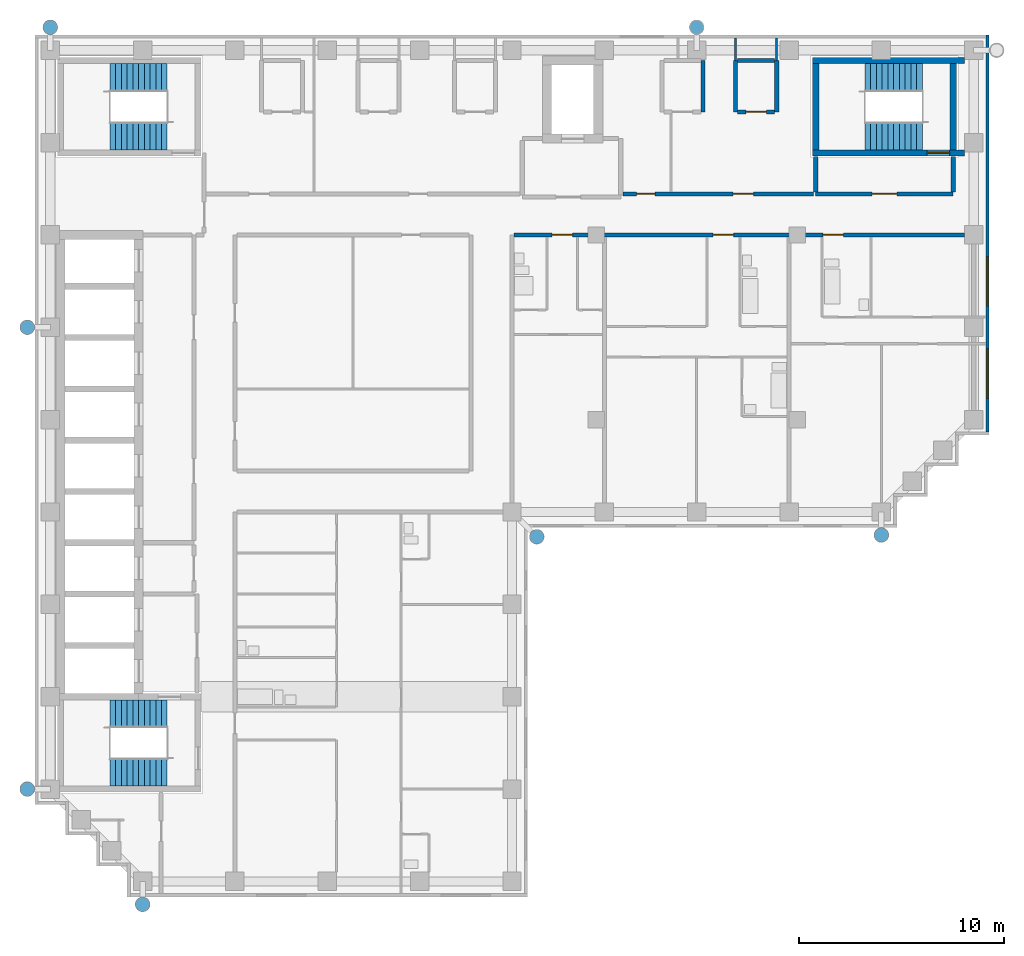
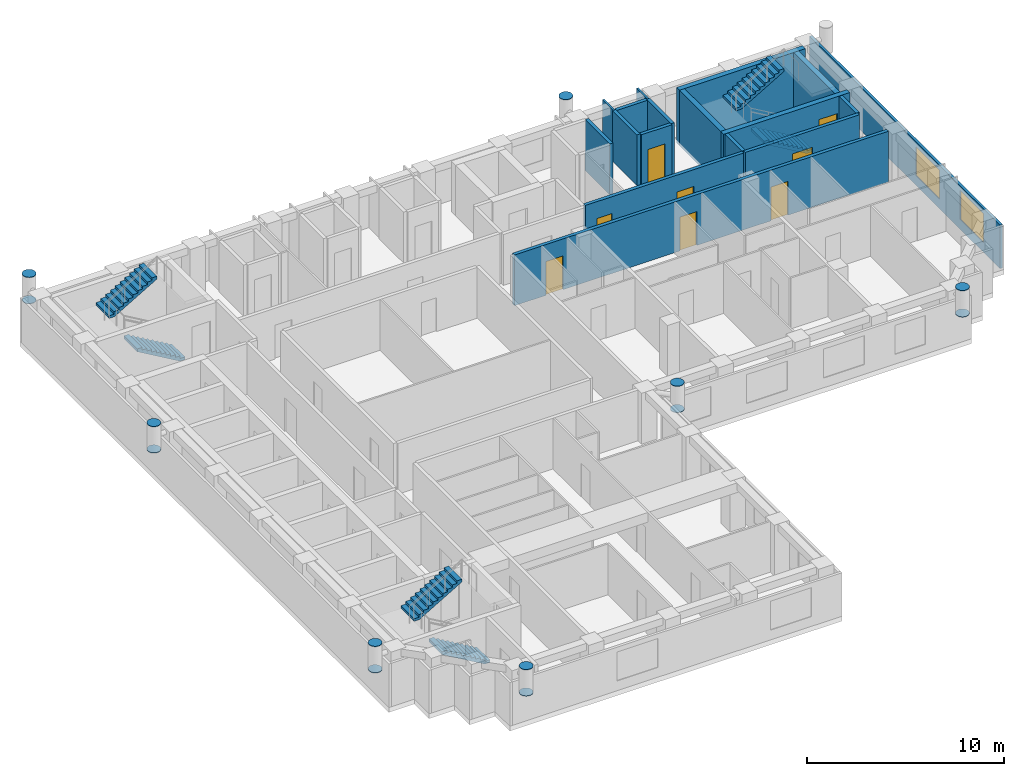
# One storey, part 6 of 9: 17 walls, 13 discrete accessories, 8 doors, 6 stair flights, 2 windows, 10 openings, 3 elements without a shape of their own.
"""IFC4 building model written with IfcOpenShell, lengths in metres."""

from ifc_helpers import new_model, si_unit, direction, frame, frame_2d, origin, origin_2d, place, context, subcontext, project, spatial, polyline, rectangle, circle, outline, extrude, material, layer, layer_set, material_profile, profile_set, type_object, element, fill, aggregate, save


model = new_model("IFC4")

# Units and contexts
model_context = context("Model", 3, precision=1e-05, world=origin(), true_north=direction((0.0, 1.0)))
body_context = subcontext(model_context, "Body", "Model", "MODEL_VIEW")
ifc_project = project(units=[si_unit("LENGTHUNIT", "METRE"), si_unit("AREAUNIT", "SQUARE_METRE"), si_unit("VOLUMEUNIT", "CUBIC_METRE"), si_unit("PLANEANGLEUNIT", "RADIAN"), si_unit("MASSUNIT", "GRAM", prefix="KILO")], contexts=[model_context])

# Site, building, storey
site_placement = place(None, origin())
site = spatial("IfcSite", under=ifc_project, at=site_placement, CompositionType="ELEMENT")
building_placement = place(site_placement, origin())
building = spatial("IfcBuilding", under=site, at=building_placement, Name="Firuza Court", CompositionType="ELEMENT")
storey_placement = place(building_placement, frame((0.0, 0.0, 254.60009765625)))
storey = spatial("IfcBuildingStorey", under=building, at=storey_placement, Name="L66", CompositionType="ELEMENT", Elevation=254.60009765625)

# Wall, opening, door
ifc_material_1 = material(Name="Concrete C50/60", Category="concrete")
ifc_layer_1 = layer(ifc_material_1, 0.300048828125)
ifc_layer_set_1 = layer_set([ifc_layer_1], Name="Concrete C50/60")
wall_type_1 = type_object("IfcWallType", Name="Core wall 300 C50/60", PredefinedType="SHEAR", material=ifc_layer_set_1)
wall_1_placement = place(storey_placement, frame((37.14990234375, 53.5, -0.300048828125), z_axis=(0.0, 0.0, 1.0), x_axis=(1.0, 0.0, 0.0)))
wall_1 = element("IfcWall", 1, at=wall_1_placement, inside=storey, type_object=wall_type_1, Name="Core wall stair L66", PredefinedType="SHEAR", context=body_context, shape_type="SweptSolid", body=[
    extrude(rectangle(XDim=7.400146484375, YDim=0.300048828125, at=frame_2d((3.7001953125, 0.0))), origin(), (0.0, 0.0, 1.0), 3.449951171875),
])
opening_1_placement = place(wall_1_placement, frame((5.580078125, 0.0, 0.300048828125)))
opening_1 = element("IfcOpeningElement", 2, at=opening_1_placement, cuts=wall_1, Name="Opening D66008", PredefinedType="OPENING", context=body_context, shape_type="SweptSolid", body=[
    extrude(rectangle(XDim=1.10009765625, YDim=2.10009765625, at=frame_2d((0.550048828125, 1.050048828125))), frame((0.0, 0.162109375, 0.0), z_axis=(0.0, -1.0, 0.0), x_axis=(1.0, 0.0, 0.0)), (0.0, 0.0, 1.0), 0.323974609375),
])
ifc_material_2 = material(Name="Timber door leaf in hardwood frame", Category="wood")
door_type_1 = type_object("IfcDoorType", Name="Stair door 1100", OperationType="SINGLE_SWING_LEFT", PredefinedType="DOOR", material=ifc_material_2)
door_1_placement = place(opening_1_placement, origin())
door_1 = element("IfcDoor", 3, at=door_1_placement, inside=storey, type_object=door_type_1, Name="Stair door S1", OperationType="SINGLE_SWING_RIGHT", OverallHeight=2.10009765625, OverallWidth=1.10009765625, PredefinedType="DOOR", context=body_context, shape_type="SweptSolid", body=[
    extrude(rectangle(XDim=1.10009765625, YDim=2.10009765625, at=frame_2d((0.550048828125, 1.050048828125))), frame((0.0, 0.02490234375, 0.0), z_axis=(0.0, -1.0, 0.0), x_axis=(1.0, 0.0, 0.0)), (0.0, 0.0, 1.0), 0.050048828125),
])
fill(opening_1, door_1)

# Walls
wall_2_placement = place(storey_placement, frame((37.14990234375, 58.0, -0.300048828125), z_axis=(0.0, 0.0, 1.0), x_axis=(1.0, 0.0, 0.0)))
element("IfcWall", 4, at=wall_2_placement, inside=storey, type_object=wall_type_1, Name="Core wall stair L66", PredefinedType="SHEAR", context=body_context, shape_type="SweptSolid", body=[
    extrude(rectangle(XDim=7.400146484375, YDim=0.300048828125, at=frame_2d((3.7001953125, 0.0))), origin(), (0.0, 0.0, 1.0), 3.449951171875),
])
for number, where, z_axis, x_axis, name in (
    (5, (37.300048828125, 53.64990234375, -0.300048828125), (0.0, 0.0, 1.0), (0.0, 1.0, 0.0), "Core wall stair L66"),
    (6, (44.0, 53.64990234375, -0.300048828125), (0.0, 0.0, 1.0), (0.0, 1.0, 0.0), "Core wall stair L66"),
):
    element("IfcWall", number, at=place(storey_placement, frame(where, z_axis=z_axis, x_axis=x_axis)), inside=storey, type_object=wall_type_1, Name=name, PredefinedType="SHEAR", context=body_context, shape_type="SweptSolid", body=[
        extrude(rectangle(XDim=4.2001953125, YDim=0.300048828125, at=frame_2d((2.10009765625, 0.0))), origin(), (0.0, 0.0, 1.0), 3.449951171875),
    ])

# Wall, openings, doors
ifc_material_3 = material(Name="Blockwork, plastered both sides", Category="masonry")
ifc_layer_2 = layer(ifc_material_3, 0.199951171875)
ifc_layer_set_2 = layer_set([ifc_layer_2], Name="Blockwork, plastered both sides")
wall_type_2 = type_object("IfcWallType", Name="Corridor wall 200", PredefinedType="PARTITIONING", material=ifc_layer_set_2)
wall_3_placement = place(storey_placement, frame((22.60009765625, 49.5, 0.0), z_axis=(0.0, 0.0, 1.0), x_axis=(1.0, 0.0, 0.0)))
wall_3 = element("IfcWall", 7, at=wall_3_placement, inside=storey, type_object=wall_type_2, Name="Corridor wall 200 L66", PredefinedType="PARTITIONING", context=body_context, shape_type="SweptSolid", body=[
    extrude(rectangle(XDim=21.949951171875, YDim=0.199951171875, at=frame_2d((10.97509765625, 0.0))), origin(), (0.0, 0.0, 1.0), 3.14990234375),
])
opening_2_placement = place(wall_3_placement, frame((1.85009765625, 0.0, 0.0)))
opening_2 = element("IfcOpeningElement", 8, at=opening_2_placement, cuts=wall_3, Name="Opening D66040", PredefinedType="OPENING", context=body_context, shape_type="SweptSolid", body=[
    extrude(rectangle(XDim=1.0, YDim=2.10009765625, at=frame_2d((0.5, 1.050048828125))), frame((0.0, 0.11181640625, 0.0), z_axis=(0.0, -1.0, 0.0), x_axis=(1.0, 0.0, 0.0)), (0.0, 0.0, 1.0), 0.223876953125),
])
opening_3_placement = place(wall_3_placement, frame((9.699951171875, 0.0, 0.0)))
opening_3 = element("IfcOpeningElement", 9, at=opening_3_placement, cuts=wall_3, Name="Opening D66041", PredefinedType="OPENING", context=body_context, shape_type="SweptSolid", body=[
    extrude(rectangle(XDim=1.0, YDim=2.10009765625, at=frame_2d((0.5, 1.050048828125))), frame((0.0, 0.11181640625, 0.0), z_axis=(0.0, -1.0, 0.0), x_axis=(1.0, 0.0, 0.0)), (0.0, 0.0, 1.0), 0.223876953125),
])
opening_4_placement = place(wall_3_placement, frame((15.050048828125, 0.0, 0.0)))
opening_4 = element("IfcOpeningElement", 10, at=opening_4_placement, cuts=wall_3, Name="Opening D66042", PredefinedType="OPENING", context=body_context, shape_type="SweptSolid", body=[
    extrude(rectangle(XDim=1.0, YDim=2.10009765625, at=frame_2d((0.5, 1.050048828125))), frame((0.0, 0.11181640625, 0.0), z_axis=(0.0, -1.0, 0.0), x_axis=(1.0, 0.0, 0.0)), (0.0, 0.0, 1.0), 0.223876953125),
])
ifc_material_4 = material(Name="Timber door leaf in hardwood frame", Category="wood")
door_type_2 = type_object("IfcDoorType", Name="Flat entrance door 1000", OperationType="SINGLE_SWING_LEFT", PredefinedType="DOOR", material=ifc_material_4)
door_2_placement = place(opening_2_placement, origin())
door_2 = element("IfcDoor", 11, at=door_2_placement, inside=storey, type_object=door_type_2, Name="Flat entrance door", OperationType="SINGLE_SWING_RIGHT", OverallHeight=2.10009765625, OverallWidth=1.0, PredefinedType="DOOR", context=body_context, shape_type="SweptSolid", body=[
    extrude(rectangle(XDim=1.0, YDim=2.10009765625, at=frame_2d((0.5, 1.050048828125))), frame((0.0, 0.02490234375, 0.0), z_axis=(0.0, -1.0, 0.0), x_axis=(1.0, 0.0, 0.0)), (0.0, 0.0, 1.0), 0.050048828125),
])
fill(opening_2, door_2)
door_3_placement = place(opening_3_placement, origin())
door_3 = element("IfcDoor", 12, at=door_3_placement, inside=storey, type_object=door_type_2, Name="Flat entrance door", OperationType="SINGLE_SWING_RIGHT", OverallHeight=2.10009765625, OverallWidth=1.0, PredefinedType="DOOR", context=body_context, shape_type="SweptSolid", body=[
    extrude(rectangle(XDim=1.0, YDim=2.10009765625, at=frame_2d((0.5, 1.050048828125))), frame((0.0, 0.02490234375, 0.0), z_axis=(0.0, -1.0, 0.0), x_axis=(1.0, 0.0, 0.0)), (0.0, 0.0, 1.0), 0.050048828125),
])
fill(opening_3, door_3)
door_4_placement = place(opening_4_placement, frame((1.0, 0.0, 0.0), z_axis=(0.0, 0.0, 1.0), x_axis=(-1.0, 0.0, 0.0)))
door_4 = element("IfcDoor", 13, at=door_4_placement, inside=storey, type_object=door_type_2, Name="Flat entrance door", OperationType="SINGLE_SWING_RIGHT", OverallHeight=2.10009765625, OverallWidth=1.0, PredefinedType="DOOR", context=body_context, shape_type="SweptSolid", body=[
    extrude(rectangle(XDim=1.0, YDim=2.10009765625, at=frame_2d((0.5, 1.050048828125))), frame((0.0, 0.02490234375, 0.0), z_axis=(0.0, -1.0, 0.0), x_axis=(1.0, 0.0, 0.0)), (0.0, 0.0, 1.0), 0.050048828125),
])
fill(opening_4, door_4)

wall_4_placement = place(storey_placement, frame((27.89990234375, 51.5, 0.0), z_axis=(0.0, 0.0, 1.0), x_axis=(1.0, 0.0, 0.0)))
wall_4 = element("IfcWall", 14, at=wall_4_placement, inside=storey, type_object=wall_type_2, Name="Corridor wall 200 L66", PredefinedType="PARTITIONING", context=body_context, shape_type="SweptSolid", body=[
    extrude(rectangle(XDim=9.300048828125, YDim=0.199951171875, at=frame_2d((4.64990234375, 0.0))), origin(), (0.0, 0.0, 1.0), 3.14990234375),
])
opening_5_placement = place(wall_4_placement, frame((0.675048828125, 0.0, 0.0)))
opening_5 = element("IfcOpeningElement", 15, at=opening_5_placement, cuts=wall_4, Name="Opening D66045", PredefinedType="OPENING", context=body_context, shape_type="SweptSolid", body=[
    extrude(rectangle(XDim=0.89990234375, YDim=2.10009765625, at=frame_2d((0.449951171875, 1.050048828125))), frame((0.0, 0.11181640625, 0.0), z_axis=(0.0, -1.0, 0.0), x_axis=(1.0, 0.0, 0.0)), (0.0, 0.0, 1.0), 0.223876953125),
])
opening_6_placement = place(wall_4_placement, frame((5.375, 0.0, 0.0)))
opening_6 = element("IfcOpeningElement", 16, at=opening_6_placement, cuts=wall_4, Name="Opening D66046", PredefinedType="OPENING", context=body_context, shape_type="SweptSolid", body=[
    extrude(rectangle(XDim=1.0, YDim=2.10009765625, at=frame_2d((0.5, 1.050048828125))), frame((0.0, 0.11181640625, 0.0), z_axis=(0.0, -1.0, 0.0), x_axis=(1.0, 0.0, 0.0)), (0.0, 0.0, 1.0), 0.223876953125),
])
ifc_material_5 = material(Name="Timber door leaf in hardwood frame", Category="wood")
door_type_3 = type_object("IfcDoorType", Name="Room door 900 EI 30", OperationType="SINGLE_SWING_LEFT", PredefinedType="DOOR", material=ifc_material_5)
door_5_placement = place(opening_5_placement, origin())
door_5 = element("IfcDoor", 17, at=door_5_placement, inside=storey, type_object=door_type_3, Name="Meeting room door", OperationType="SINGLE_SWING_LEFT", OverallHeight=2.10009765625, OverallWidth=0.89990234375, PredefinedType="DOOR", context=body_context, shape_type="SweptSolid", body=[
    extrude(rectangle(XDim=0.89990234375, YDim=2.10009765625, at=frame_2d((0.449951171875, 1.050048828125))), frame((0.0, 0.02490234375, 0.0), z_axis=(0.0, -1.0, 0.0), x_axis=(1.0, 0.0, 0.0)), (0.0, 0.0, 1.0), 0.050048828125),
])
fill(opening_5, door_5)
ifc_material_6 = material(Name="Timber door leaf in hardwood frame", Category="wood")
door_type_4 = type_object("IfcDoorType", Name="Store door 1000", OperationType="SINGLE_SWING_LEFT", PredefinedType="DOOR", material=ifc_material_6)
door_6_placement = place(opening_6_placement, origin())
door_6 = element("IfcDoor", 18, at=door_6_placement, inside=storey, type_object=door_type_4, Name="Electrical room door", OperationType="SINGLE_SWING_LEFT", OverallHeight=2.10009765625, OverallWidth=1.0, PredefinedType="DOOR", context=body_context, shape_type="SweptSolid", body=[
    extrude(rectangle(XDim=1.0, YDim=2.10009765625, at=frame_2d((0.5, 1.050048828125))), frame((0.0, 0.02490234375, 0.0), z_axis=(0.0, -1.0, 0.0), x_axis=(1.0, 0.0, 0.0)), (0.0, 0.0, 1.0), 0.050048828125),
])
fill(opening_6, door_6)

# Walls
ifc_material_7 = material(Name="Timber stud partition, plasterboard both sides", Category="wood")
ifc_layer_3 = layer(ifc_material_7, 0.10009765625)
ifc_layer_set_3 = layer_set([ifc_layer_3], Name="Timber stud partition, plasterboard both sides")
wall_type_3 = type_object("IfcWallType", Name="Partition wall 100", PredefinedType="PARTITIONING", material=ifc_layer_set_3)
for number, where, z_axis, x_axis, name in (
    (19, (33.39990234375, 58.0, 0.0), (0.0, 0.0, 1.0), (0.0, 1.0, 0.0), "Partition wall 100 L66"),
    (20, (35.39990234375, 58.0, 0.0), (0.0, 0.0, 1.0), (0.0, 1.0, 0.0), "Partition wall 100 L66"),
):
    element("IfcWall", number, at=place(storey_placement, frame(where, z_axis=z_axis, x_axis=x_axis)), inside=storey, type_object=wall_type_3, Name=name, PredefinedType="PARTITIONING", context=body_context, shape_type="SweptSolid", body=[
        extrude(rectangle(XDim=1.10009765625, YDim=0.10009765625, at=frame_2d((0.550048828125, 0.0))), origin(), (0.0, 0.0, 1.0), 3.14990234375),
    ])
ifc_material_8 = material(Name="Blockwork, fire-rated", Category="masonry")
ifc_layer_4 = layer(ifc_material_8, 0.199951171875)
ifc_layer_set_4 = layer_set([ifc_layer_4], Name="Blockwork, fire-rated")
wall_type_4 = type_object("IfcWallType", Name="Plant room wall 200", PredefinedType="PARTITIONING", material=ifc_layer_set_4)
for number, where, z_axis, x_axis, name in (
    (21, (31.800048828125, 55.5, 0.0), (0.0, 0.0, 1.0), (0.0, 1.0, 0.0), "Plant room wall 200 L66"),
    (22, (33.39990234375, 55.5, 0.0), (0.0, 0.0, 1.0), (0.0, 1.0, 0.0), "Plant room wall 200 L66"),
):
    element("IfcWall", number, at=place(storey_placement, frame(where, z_axis=z_axis, x_axis=x_axis)), inside=storey, type_object=wall_type_4, Name=name, PredefinedType="PARTITIONING", context=body_context, shape_type="SweptSolid", body=[
        extrude(rectangle(XDim=2.5, YDim=0.199951171875, at=frame_2d((1.25, 0.0))), origin(), (0.0, 0.0, 1.0), 3.14990234375),
    ])

# Wall, opening, door
wall_5_placement = place(storey_placement, frame((33.5, 55.5, 0.0), z_axis=(0.0, 0.0, 1.0), x_axis=(1.0, 0.0, 0.0)))
wall_5 = element("IfcWall", 23, at=wall_5_placement, inside=storey, type_object=wall_type_4, Name="Plant room wall 200 L66", PredefinedType="PARTITIONING", context=body_context, shape_type="SweptSolid", body=[
    extrude(rectangle(XDim=1.800048828125, YDim=0.199951171875, at=frame_2d((0.89990234375, 0.0))), origin(), (0.0, 0.0, 1.0), 3.14990234375),
])
opening_7_placement = place(wall_5_placement, frame((0.39990234375, 0.0, 0.0)))
opening_7 = element("IfcOpeningElement", 24, at=opening_7_placement, cuts=wall_5, Name="Opening D66051", PredefinedType="OPENING", context=body_context, shape_type="SweptSolid", body=[
    extrude(rectangle(XDim=1.0, YDim=2.10009765625, at=frame_2d((0.5, 1.050048828125))), frame((0.0, 0.11181640625, 0.0), z_axis=(0.0, -1.0, 0.0), x_axis=(1.0, 0.0, 0.0)), (0.0, 0.0, 1.0), 0.223876953125),
])
ifc_material_9 = material(Name="Timber door leaf in hardwood frame", Category="wood")
door_type_5 = type_object("IfcDoorType", Name="Riser door 1000", OperationType="SINGLE_SWING_LEFT", PredefinedType="DOOR", material=ifc_material_9)
door_7_placement = place(opening_7_placement, origin())
door_7 = element("IfcDoor", 25, at=door_7_placement, inside=storey, type_object=door_type_5, Name="Duct riser door", OperationType="SINGLE_SWING_LEFT", OverallHeight=2.10009765625, OverallWidth=1.0, PredefinedType="DOOR", context=body_context, shape_type="SweptSolid", body=[
    extrude(rectangle(XDim=1.0, YDim=2.10009765625, at=frame_2d((0.5, 1.050048828125))), frame((0.0, 0.02490234375, 0.0), z_axis=(0.0, -1.0, 0.0), x_axis=(1.0, 0.0, 0.0)), (0.0, 0.0, 1.0), 0.050048828125),
])
fill(opening_7, door_7)

# Walls
wall_6_placement = place(storey_placement, frame((35.39990234375, 55.5, 0.0), z_axis=(0.0, 0.0, 1.0), x_axis=(0.0, 1.0, 0.0)))
element("IfcWall", 26, at=wall_6_placement, inside=storey, type_object=wall_type_4, Name="Plant room wall 200 L66", PredefinedType="PARTITIONING", context=body_context, shape_type="SweptSolid", body=[
    extrude(rectangle(XDim=2.5, YDim=0.199951171875, at=frame_2d((1.25, 0.0))), origin(), (0.0, 0.0, 1.0), 3.14990234375),
])
wall_7_placement = place(storey_placement, frame((33.5, 58.0, 0.0), z_axis=(0.0, 0.0, 1.0), x_axis=(1.0, 0.0, 0.0)))
element("IfcWall", 27, at=wall_7_placement, inside=storey, type_object=wall_type_4, Name="Plant room wall 200 L66", PredefinedType="PARTITIONING", context=body_context, shape_type="SweptSolid", body=[
    extrude(rectangle(XDim=1.800048828125, YDim=0.199951171875, at=frame_2d((0.89990234375, 0.0))), origin(), (0.0, 0.0, 1.0), 3.14990234375),
])

# Wall, openings, windows
ifc_material_10 = material(Name="Ceramic tile", Category="ceramic")
ifc_layer_5 = layer(ifc_material_10, 0.02001953125)
ifc_material_11 = material(Name="Mineral wool insulation", Category="insulation")
ifc_layer_6 = layer(ifc_material_11, 0.050048828125)
ifc_material_12 = material(Name="Concrete C40/50 precast", Category="concrete")
ifc_layer_7 = layer(ifc_material_12, 0.080078125)
ifc_layer_set_5 = layer_set([ifc_layer_5, ifc_layer_6, ifc_layer_7], Name="Concrete C40/50 precast")
wall_type_5 = type_object("IfcWallType", Name="Precast cladding wall with turquoise TILE PANEL face 150", PredefinedType="STANDARD", material=ifc_layer_set_5)
wall_8_placement = place(storey_placement, frame((45.675048828125, 39.89990234375, 0.0), z_axis=(0.0, 0.0, 1.0), x_axis=(0.0, 1.0, 0.0)))
wall_8 = element("IfcWall", 28, at=wall_8_placement, inside=storey, type_object=wall_type_5, Name="Facade wall L66 E", PredefinedType="STANDARD", context=body_context, shape_type="SweptSolid", body=[
    extrude(rectangle(XDim=19.35009765625, YDim=0.14990234375, at=frame_2d((9.675048828125, 0.0))), origin(), (0.0, 0.0, 1.0), 2.699951171875),
])
opening_8_placement = place(wall_8_placement, frame((1.64990234375, 0.0, 0.60009765625)))
opening_8 = element("IfcOpeningElement", 29, at=opening_8_placement, cuts=wall_8, Name="Opening W1", PredefinedType="OPENING", context=body_context, shape_type="SweptSolid", body=[
    extrude(rectangle(XDim=2.39990234375, YDim=1.800048828125, at=frame_2d((1.199951171875, 0.89990234375))), frame((0.0, 0.0869140625, 0.0), z_axis=(0.0, -1.0, 0.0), x_axis=(1.0, 0.0, 0.0)), (0.0, 0.0, 1.0), 0.173828125),
])
opening_9_placement = place(wall_8_placement, frame((6.14990234375, 0.0, 0.60009765625)))
opening_9 = element("IfcOpeningElement", 30, at=opening_9_placement, cuts=wall_8, Name="Opening W1", PredefinedType="OPENING", context=body_context, shape_type="SweptSolid", body=[
    extrude(rectangle(XDim=2.39990234375, YDim=1.800048828125, at=frame_2d((1.199951171875, 0.89990234375))), frame((0.0, 0.0869140625, 0.0), z_axis=(0.0, -1.0, 0.0), x_axis=(1.0, 0.0, 0.0)), (0.0, 0.0, 1.0), 0.173828125),
])
ifc_material_13 = material(Name="Aluminium frame, triple clear glazing", Category="aluminium")
window_type = type_object("IfcWindowType", Name="Window W1 2400 x 1800", PartitioningType="SINGLE_PANEL", PredefinedType="WINDOW", material=ifc_material_13)
window_1_placement = place(opening_8_placement, origin())
window_1 = element("IfcWindow", 31, at=window_1_placement, inside=storey, type_object=window_type, Name="Window L66", OverallHeight=1.800048828125, OverallWidth=2.39990234375, PartitioningType="SINGLE_PANEL", PredefinedType="WINDOW", context=body_context, shape_type="SweptSolid", body=[
    extrude(rectangle(XDim=2.39990234375, YDim=1.800048828125, at=frame_2d((1.199951171875, 0.89990234375))), frame((0.0, 0.030029296875, 0.0), z_axis=(0.0, -1.0, 0.0), x_axis=(1.0, 0.0, 0.0)), (0.0, 0.0, 1.0), 0.06005859375),
])
fill(opening_8, window_1)
window_2_placement = place(opening_9_placement, origin())
window_2 = element("IfcWindow", 32, at=window_2_placement, inside=storey, type_object=window_type, Name="Window L66", OverallHeight=1.800048828125, OverallWidth=2.39990234375, PartitioningType="SINGLE_PANEL", PredefinedType="WINDOW", context=body_context, shape_type="SweptSolid", body=[
    extrude(rectangle(XDim=2.39990234375, YDim=1.800048828125, at=frame_2d((1.199951171875, 0.89990234375))), frame((0.0, 0.030029296875, 0.0), z_axis=(0.0, -1.0, 0.0), x_axis=(1.0, 0.0, 0.0)), (0.0, 0.0, 1.0), 0.06005859375),
])
fill(opening_9, window_2)

# Wall, opening, door
ifc_layer_8 = layer(ifc_material_8, 0.199951171875)
ifc_layer_set_6 = layer_set([ifc_layer_8], Name="Blockwork, fire-rated")
wall_type_6 = type_object("IfcWallType", Name="Shaft wall 200", PredefinedType="PARTITIONING", material=ifc_layer_set_6)
wall_9_placement = place(storey_placement, frame((37.300048828125, 51.5, 0.0), z_axis=(0.0, 0.0, 1.0), x_axis=(1.0, 0.0, 0.0)))
wall_9 = element("IfcWall", 33, at=wall_9_placement, inside=storey, type_object=wall_type_6, Name="Shaft wall 200 L66", PredefinedType="PARTITIONING", context=body_context, shape_type="SweptSolid", body=[
    extrude(rectangle(XDim=6.699951171875, YDim=0.199951171875, at=frame_2d((3.35009765625, 0.0))), origin(), (0.0, 0.0, 1.0), 3.14990234375),
])
opening_10_placement = place(wall_9_placement, frame((2.75, 0.0, 0.0)))
opening_10 = element("IfcOpeningElement", 34, at=opening_10_placement, cuts=wall_9, Name="Opening D66006", PredefinedType="OPENING", context=body_context, shape_type="SweptSolid", body=[
    extrude(rectangle(XDim=1.199951171875, YDim=2.10009765625, at=frame_2d((0.60009765625, 1.050048828125))), frame((0.0, 0.11181640625, 0.0), z_axis=(0.0, -1.0, 0.0), x_axis=(1.0, 0.0, 0.0)), (0.0, 0.0, 1.0), 0.223876953125),
])
ifc_material_14 = material(Name="Timber door leaf in hardwood frame", Category="wood")
door_type_6 = type_object("IfcDoorType", Name="Lobby door 1200", OperationType="SINGLE_SWING_LEFT", PredefinedType="DOOR", material=ifc_material_14)
door_8_placement = place(opening_10_placement, origin())
door_8 = element("IfcDoor", 35, at=door_8_placement, inside=storey, type_object=door_type_6, Name="Lobby door", OperationType="SINGLE_SWING_LEFT", OverallHeight=2.10009765625, OverallWidth=1.199951171875, PredefinedType="DOOR", context=body_context, shape_type="SweptSolid", body=[
    extrude(rectangle(XDim=1.199951171875, YDim=2.10009765625, at=frame_2d((0.60009765625, 1.050048828125))), frame((0.0, 0.02490234375, 0.0), z_axis=(0.0, -1.0, 0.0), x_axis=(1.0, 0.0, 0.0)), (0.0, 0.0, 1.0), 0.050048828125),
])
fill(opening_10, door_8)

# Walls
for number, where, z_axis, x_axis, name in (
    (36, (44.0, 51.60009765625, 0.0), (0.0, 0.0, 1.0), (0.0, 1.0, 0.0), "Shaft wall 200 L66"),
    (37, (37.300048828125, 51.60009765625, 0.0), (0.0, 0.0, 1.0), (0.0, 1.0, 0.0), "Shaft wall 200 L66"),
):
    element("IfcWall", number, at=place(storey_placement, frame(where, z_axis=z_axis, x_axis=x_axis)), inside=storey, type_object=wall_type_6, Name=name, PredefinedType="PARTITIONING", context=body_context, shape_type="SweptSolid", body=[
        extrude(rectangle(XDim=1.72998046875, YDim=0.199951171875, at=frame_2d((0.864990234375, 0.0))), origin(), (0.0, 0.0, 1.0), 3.14990234375),
    ])

# Stair, stair flights
ifc_material_15 = material(Name="Concrete C40/50 precast", Category="concrete")
stair_type = type_object("IfcStairType", Name="Stair 1350 x 3600 2 flights", PredefinedType="HALF_TURN_STAIR", material=ifc_material_15)
stair_1_placement = place(storey_placement, origin())
stair_1 = element("IfcStair", 38, at=stair_1_placement, inside=storey, type_object=stair_type, Name="Stair 1 L66", PredefinedType="HALF_TURN_STAIR")
ifc_material_16 = material(Name="Concrete C40/50 precast", Category="concrete")
stair_flight_type = type_object("IfcStairFlightType", Name="Flight 1350 riser 163.6", PredefinedType="STRAIGHT", material=ifc_material_16)
stair_flight_1_placement = place(storey_placement, frame((42.5, 54.324951171875, 0.0), z_axis=(0.0, 0.0, 1.0), x_axis=(-1.0, 0.0, 0.0)))
stair_flight_1 = element("IfcStairFlight", 39, at=stair_flight_1_placement, type_object=stair_flight_type, Name="S1 flight 1", NumberOfRisers=11, NumberOfTreads=10, PredefinedType="STRAIGHT", RiserHeight=0.163636364, TreadLength=0.28, context=body_context, shape_type="SweptSolid", body=[
    extrude(outline(polyline([(0.0, 0.0), (0.0, 0.16357421875), (0.280029296875, 0.16357421875), (0.280029296875, 0.327392578125), (0.56005859375, 0.327392578125), (0.56005859375, 0.490966796875), (0.840087890625, 0.490966796875), (0.840087890625, 0.654541015625), (1.1201171875, 0.654541015625), (1.1201171875, 0.818115234375), (1.39990234375, 0.818115234375), (1.39990234375, 0.98193359375), (1.679931640625, 0.98193359375), (1.679931640625, 1.1455078125), (1.9599609375, 1.1455078125), (1.9599609375, 1.30908203125), (2.239990234375, 1.30908203125), (2.239990234375, 1.47265625), (2.52001953125, 1.47265625), (2.52001953125, 1.636474609375), (2.800048828125, 1.636474609375), (2.800048828125, 1.800048828125), (2.800048828125, 1.462646484375), (0.297119140625, 0.0), (0.0, 0.0)])), frame((0.0, 0.675048828125, 0.0), z_axis=(0.0, -1.0, 0.0), x_axis=(1.0, 0.0, 0.0)), (0.0, 0.0, 1.0), 1.35009765625),
])
stair_flight_2_placement = place(storey_placement, frame((39.699951171875, 57.175048828125, 1.7998046875), z_axis=(0.0, 0.0, 1.0), x_axis=(1.0, 0.0, 0.0)))
stair_flight_2 = element("IfcStairFlight", 40, at=stair_flight_2_placement, type_object=stair_flight_type, Name="S1 flight 2", NumberOfRisers=11, NumberOfTreads=10, PredefinedType="STRAIGHT", RiserHeight=0.163636364, TreadLength=0.28, context=body_context, shape_type="SweptSolid", body=[
    extrude(outline(polyline([(0.0, 0.0), (0.0, 0.16357421875), (0.280029296875, 0.16357421875), (0.280029296875, 0.327392578125), (0.56005859375, 0.327392578125), (0.56005859375, 0.490966796875), (0.840087890625, 0.490966796875), (0.840087890625, 0.654541015625), (1.1201171875, 0.654541015625), (1.1201171875, 0.818115234375), (1.39990234375, 0.818115234375), (1.39990234375, 0.98193359375), (1.679931640625, 0.98193359375), (1.679931640625, 1.1455078125), (1.9599609375, 1.1455078125), (1.9599609375, 1.30908203125), (2.239990234375, 1.30908203125), (2.239990234375, 1.47265625), (2.52001953125, 1.47265625), (2.52001953125, 1.636474609375), (2.800048828125, 1.636474609375), (2.800048828125, 1.800048828125), (2.800048828125, 1.462646484375), (0.297119140625, 0.0), (0.0, 0.0)])), frame((0.0, 0.675048828125, 0.0), z_axis=(0.0, -1.0, 0.0), x_axis=(1.0, 0.0, 0.0)), (0.0, 0.0, 1.0), 1.35009765625),
])
aggregate(stair_1, [stair_flight_1, stair_flight_2])

stair_2_placement = place(storey_placement, origin())
stair_2 = element("IfcStair", 41, at=stair_2_placement, inside=storey, type_object=stair_type, Name="Stair 2 L66", PredefinedType="HALF_TURN_STAIR")
stair_flight_3_placement = place(storey_placement, frame((5.699951171875, 23.324951171875, 0.0), z_axis=(0.0, 0.0, 1.0), x_axis=(-1.0, 0.0, 0.0)))
stair_flight_3 = element("IfcStairFlight", 42, at=stair_flight_3_placement, type_object=stair_flight_type, Name="S2 flight 1", NumberOfRisers=11, NumberOfTreads=10, PredefinedType="STRAIGHT", RiserHeight=0.163636364, TreadLength=0.28, context=body_context, shape_type="SweptSolid", body=[
    extrude(outline(polyline([(0.0, 0.0), (0.0, 0.16357421875), (0.280029296875, 0.16357421875), (0.280029296875, 0.327392578125), (0.56005859375, 0.327392578125), (0.56005859375, 0.490966796875), (0.840087890625, 0.490966796875), (0.840087890625, 0.654541015625), (1.1201171875, 0.654541015625), (1.1201171875, 0.818115234375), (1.39990234375, 0.818115234375), (1.39990234375, 0.98193359375), (1.679931640625, 0.98193359375), (1.679931640625, 1.1455078125), (1.9599609375, 1.1455078125), (1.9599609375, 1.30908203125), (2.239990234375, 1.30908203125), (2.239990234375, 1.47265625), (2.52001953125, 1.47265625), (2.52001953125, 1.636474609375), (2.800048828125, 1.636474609375), (2.800048828125, 1.800048828125), (2.800048828125, 1.462646484375), (0.297119140625, 0.0), (0.0, 0.0)])), frame((0.0, 0.675048828125, 0.0), z_axis=(0.0, -1.0, 0.0), x_axis=(1.0, 0.0, 0.0)), (0.0, 0.0, 1.0), 1.35009765625),
])
stair_flight_4_placement = place(storey_placement, frame((2.89990234375, 26.175048828125, 1.7998046875), z_axis=(0.0, 0.0, 1.0), x_axis=(1.0, 0.0, 0.0)))
stair_flight_4 = element("IfcStairFlight", 43, at=stair_flight_4_placement, type_object=stair_flight_type, Name="S2 flight 2", NumberOfRisers=11, NumberOfTreads=10, PredefinedType="STRAIGHT", RiserHeight=0.163636364, TreadLength=0.28, context=body_context, shape_type="SweptSolid", body=[
    extrude(outline(polyline([(0.0, 0.0), (0.0, 0.16357421875), (0.280029296875, 0.16357421875), (0.280029296875, 0.327392578125), (0.56005859375, 0.327392578125), (0.56005859375, 0.490966796875), (0.840087890625, 0.490966796875), (0.840087890625, 0.654541015625), (1.1201171875, 0.654541015625), (1.1201171875, 0.818115234375), (1.39990234375, 0.818115234375), (1.39990234375, 0.98193359375), (1.679931640625, 0.98193359375), (1.679931640625, 1.1455078125), (1.9599609375, 1.1455078125), (1.9599609375, 1.30908203125), (2.239990234375, 1.30908203125), (2.239990234375, 1.47265625), (2.52001953125, 1.47265625), (2.52001953125, 1.636474609375), (2.800048828125, 1.636474609375), (2.800048828125, 1.800048828125), (2.800048828125, 1.462646484375), (0.297119140625, 0.0), (0.0, 0.0)])), frame((0.0, 0.675048828125, 0.0), z_axis=(0.0, -1.0, 0.0), x_axis=(1.0, 0.0, 0.0)), (0.0, 0.0, 1.0), 1.35009765625),
])
aggregate(stair_2, [stair_flight_3, stair_flight_4])

stair_3_placement = place(storey_placement, origin())
stair_3 = element("IfcStair", 44, at=stair_3_placement, inside=storey, type_object=stair_type, Name="Stair 3 L66", PredefinedType="HALF_TURN_STAIR")
stair_flight_5_placement = place(storey_placement, frame((5.699951171875, 54.324951171875, 0.0), z_axis=(0.0, 0.0, 1.0), x_axis=(-1.0, 0.0, 0.0)))
stair_flight_5 = element("IfcStairFlight", 45, at=stair_flight_5_placement, type_object=stair_flight_type, Name="S3 flight 1", NumberOfRisers=11, NumberOfTreads=10, PredefinedType="STRAIGHT", RiserHeight=0.163636364, TreadLength=0.28, context=body_context, shape_type="SweptSolid", body=[
    extrude(outline(polyline([(0.0, 0.0), (0.0, 0.16357421875), (0.280029296875, 0.16357421875), (0.280029296875, 0.327392578125), (0.56005859375, 0.327392578125), (0.56005859375, 0.490966796875), (0.840087890625, 0.490966796875), (0.840087890625, 0.654541015625), (1.1201171875, 0.654541015625), (1.1201171875, 0.818115234375), (1.39990234375, 0.818115234375), (1.39990234375, 0.98193359375), (1.679931640625, 0.98193359375), (1.679931640625, 1.1455078125), (1.9599609375, 1.1455078125), (1.9599609375, 1.30908203125), (2.239990234375, 1.30908203125), (2.239990234375, 1.47265625), (2.52001953125, 1.47265625), (2.52001953125, 1.636474609375), (2.800048828125, 1.636474609375), (2.800048828125, 1.800048828125), (2.800048828125, 1.462646484375), (0.297119140625, 0.0), (0.0, 0.0)])), frame((0.0, 0.675048828125, 0.0), z_axis=(0.0, -1.0, 0.0), x_axis=(1.0, 0.0, 0.0)), (0.0, 0.0, 1.0), 1.35009765625),
])
stair_flight_6_placement = place(storey_placement, frame((2.89990234375, 57.175048828125, 1.7998046875), z_axis=(0.0, 0.0, 1.0), x_axis=(1.0, 0.0, 0.0)))
stair_flight_6 = element("IfcStairFlight", 46, at=stair_flight_6_placement, type_object=stair_flight_type, Name="S3 flight 2", NumberOfRisers=11, NumberOfTreads=10, PredefinedType="STRAIGHT", RiserHeight=0.163636364, TreadLength=0.28, context=body_context, shape_type="SweptSolid", body=[
    extrude(outline(polyline([(0.0, 0.0), (0.0, 0.16357421875), (0.280029296875, 0.16357421875), (0.280029296875, 0.327392578125), (0.56005859375, 0.327392578125), (0.56005859375, 0.490966796875), (0.840087890625, 0.490966796875), (0.840087890625, 0.654541015625), (1.1201171875, 0.654541015625), (1.1201171875, 0.818115234375), (1.39990234375, 0.818115234375), (1.39990234375, 0.98193359375), (1.679931640625, 0.98193359375), (1.679931640625, 1.1455078125), (1.9599609375, 1.1455078125), (1.9599609375, 1.30908203125), (2.239990234375, 1.30908203125), (2.239990234375, 1.47265625), (2.52001953125, 1.47265625), (2.52001953125, 1.636474609375), (2.800048828125, 1.636474609375), (2.800048828125, 1.800048828125), (2.800048828125, 1.462646484375), (0.297119140625, 0.0), (0.0, 0.0)])), frame((0.0, 0.675048828125, 0.0), z_axis=(0.0, -1.0, 0.0), x_axis=(1.0, 0.0, 0.0)), (0.0, 0.0, 1.0), 1.35009765625),
])
aggregate(stair_3, [stair_flight_5, stair_flight_6])

# Discrete accessories
ifc_material_17 = material(Name="Steel S355", Category="steel")
ifc_material_profile = material_profile(ifc_material_17, circle(Radius=0.35546875, at=origin_2d()), Name="PL D711")
ifc_profile_set = profile_set([ifc_material_profile], Name="Steel S355")
discrete_accessory_type = type_object("IfcDiscreteAccessoryType", Name="DIAGRID NODE END PLATE", PredefinedType="NOTDEFINED", material=ifc_profile_set)
for number, where, z_axis, x_axis, name in (
    (47, (-1.1201171875, 22.5, 3.699951171875), (0.0, 0.0, 1.0), (1.0, 0.0, 0.0), "Diagrid node end plate level L66"),
    (48, (-1.1201171875, 22.5, 2.06982421875), (0.0, 0.0, 1.0), (1.0, 0.0, 0.0), "Diagrid node end plate level L66"),
    (49, (-1.1201171875, 45.0, 3.699951171875), (0.0, 0.0, 1.0), (1.0, 0.0, 0.0), "Diagrid node end plate level L66"),
    (50, (-1.1201171875, 45.0, 2.06982421875), (0.0, 0.0, 1.0), (1.0, 0.0, 0.0), "Diagrid node end plate level L66"),
    (51, (0.0, 59.6201171875, 3.699951171875), (0.0, 0.0, 1.0), (1.0, 0.0, 0.0), "Diagrid node end plate level L66"),
    (52, (0.0, 59.6201171875, 2.06982421875), (0.0, 0.0, 1.0), (1.0, 0.0, 0.0), "Diagrid node end plate level L66"),
    (53, (4.5, 16.8798828125, 3.699951171875), (0.0, 0.0, 1.0), (1.0, 0.0, 0.0), "Diagrid node end plate level L66"),
    (54, (4.5, 16.8798828125, 2.06982421875), (0.0, 0.0, 1.0), (1.0, 0.0, 0.0), "Diagrid node end plate level L66"),
    (55, (23.7099609375, 34.7900390625, 3.699951171875), (0.0, 0.0, 1.0), (1.0, 0.0, 0.0), "Diagrid node end plate level L66"),
    (56, (23.7099609375, 34.7900390625, 2.06982421875), (0.0, 0.0, 1.0), (1.0, 0.0, 0.0), "Diagrid node end plate level L66"),
    (57, (31.5, 59.6201171875, 3.699951171875), (0.0, 0.0, 1.0), (1.0, 0.0, 0.0), "Diagrid node end plate level L66"),
    (58, (40.5, 34.8798828125, 3.699951171875), (0.0, 0.0, 1.0), (1.0, 0.0, 0.0), "Diagrid node end plate level L66"),
    (59, (40.5, 34.8798828125, 2.06982421875), (0.0, 0.0, 1.0), (1.0, 0.0, 0.0), "Diagrid node end plate level L66"),
):
    element("IfcDiscreteAccessory", number, at=place(storey_placement, frame(where, z_axis=z_axis, x_axis=x_axis)), inside=storey, type_object=discrete_accessory_type, Name=name, PredefinedType="NOTDEFINED", context=body_context, shape_type="SweptSolid", body=[
        extrude(circle(Radius=0.35546875, at=origin_2d()), origin(), (0.0, 0.0, 1.0), 0.030029296875),
    ])

save(model, "model.ifc")
